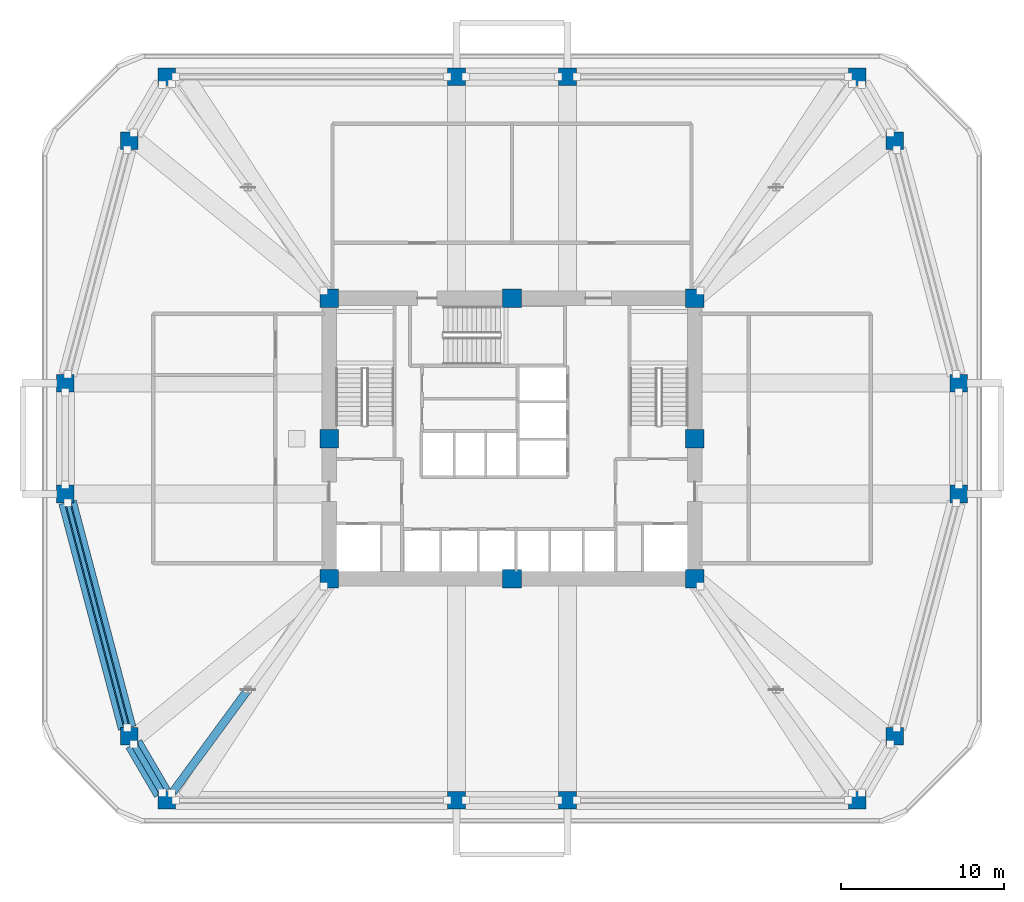
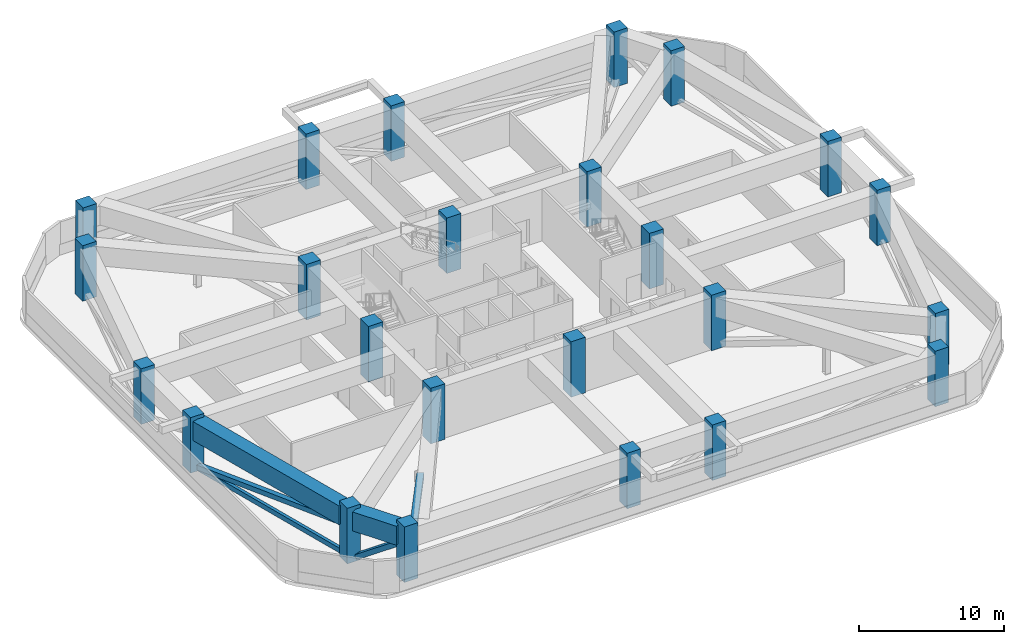
# One storey, part 1 of 10: 24 columns, 4 members, 2 beams.
"""IFC4 building model written with IfcOpenShell, lengths in metres."""

from ifc_helpers import new_model, si_unit, derived_unit, direction, frame, origin, origin_2d, place, context, subcontext, project, spatial, rectangle, hollow_rectangle, extrude, material, material_profile, profile_set, type_object, element, save


model = new_model("IFC4")

# Units and contexts
model_context = context("Model", 3, precision=1e-05, world=origin(), true_north=direction((0.0, 1.0)))
body_context = subcontext(model_context, "Body", "Model", "MODEL_VIEW")
ifc_project = project(units=[si_unit("LENGTHUNIT", "METRE"), si_unit("AREAUNIT", "SQUARE_METRE"), si_unit("VOLUMEUNIT", "CUBIC_METRE"), si_unit("PLANEANGLEUNIT", "RADIAN"), si_unit("MASSUNIT", "GRAM", prefix="KILO"), derived_unit("THERMALTRANSMITTANCEUNIT", [(si_unit("POWERUNIT", "WATT"), 1), (si_unit("LENGTHUNIT", "METRE"), -2), (si_unit("THERMODYNAMICTEMPERATUREUNIT", "KELVIN"), -1)])], contexts=[model_context])

# Site, building, storey
site_placement = place(None, origin())
site = spatial("IfcSite", under=ifc_project, at=site_placement, CompositionType="ELEMENT")
building_placement = place(site_placement, origin())
building = spatial("IfcBuilding", under=site, at=building_placement, Name="Koralith Skygarden Medical Center", CompositionType="ELEMENT")
storey_placement = place(building_placement, frame((0.0, 0.0, 70.739990234375)))
storey = spatial("IfcBuildingStorey", under=building, at=storey_placement, Name="L18", CompositionType="ELEMENT", Elevation=70.739990234375)

# Columns
ifc_material_1 = material(Name="Concrete C70/85", Category="concrete")
ifc_material_profile_1 = material_profile(ifc_material_1, rectangle(XDim=1.139892578125, YDim=1.139892578125, at=origin_2d()), Name="RC1140X1140")
ifc_profile_set_1 = profile_set([ifc_material_profile_1], Name="Concrete C70/85")
column_type_1 = type_object("IfcColumnType", Name="Core Mega-Column C70 RC1140", PredefinedType="COLUMN", material=ifc_profile_set_1)
for number, where, z_axis, x_axis, name in (
    (1, (25.800048828125, 17.300048828125, 0.0), (0.0, 0.0, 1.0), (1.0, 0.0, 0.0), "L18 Core Column CC-01"),
    (2, (37.0, 17.300048828125, 0.0), (0.0, 0.0, 1.0), (1.0, 0.0, 0.0), "L18 Core Column CC-02"),
    (3, (48.199951171875, 17.300048828125, 0.0), (0.0, 0.0, 1.0), (1.0, 0.0, 0.0), "L18 Core Column CC-03"),
    (4, (48.199951171875, 25.89990234375, 0.0), (0.0, 0.0, 1.0), (1.0, 0.0, 0.0), "L18 Core Column CC-04"),
    (5, (48.199951171875, 34.5, 0.0), (0.0, 0.0, 1.0), (1.0, 0.0, 0.0), "L18 Core Column CC-05"),
    (6, (37.0, 34.5, 0.0), (0.0, 0.0, 1.0), (1.0, 0.0, 0.0), "L18 Core Column CC-06"),
    (7, (25.800048828125, 34.5, 0.0), (0.0, 0.0, 1.0), (1.0, 0.0, 0.0), "L18 Core Column CC-07"),
    (8, (25.800048828125, 25.89990234375, 0.0), (0.0, 0.0, 1.0), (1.0, 0.0, 0.0), "L18 Core Column CC-08"),
):
    element("IfcColumn", number, at=place(storey_placement, frame(where, z_axis=z_axis, x_axis=x_axis)), inside=storey, type_object=column_type_1, Name=name, PredefinedType="COLUMN", context=body_context, shape_type="SweptSolid", body=[
        extrude(rectangle(XDim=1.139892578125, YDim=1.139892578125, at=origin_2d()), origin(), (0.0, 0.0, 1.0), 4.679931640625),
    ])
ifc_material_profile_2 = material_profile(ifc_material_1, rectangle(XDim=1.080078125, YDim=1.080078125, at=origin_2d()), Name="RC1080X1080")
ifc_profile_set_2 = profile_set([ifc_material_profile_2], Name="Concrete C70/85")
column_type_2 = type_object("IfcColumnType", Name="Zone 1 Octagonal Mega-Column C70 RC1080", PredefinedType="COLUMN", material=ifc_profile_set_2)
for number, where, z_axis, x_axis, name in (
    (9, (9.6201171875, 22.5, 0.0), (0.0, 0.0, 1.0), (1.0, 0.0, 0.0), "L18 Perimeter Mega-Column MC-01"),
    (10, (13.5400390625, 7.639892578125, 0.0), (0.0, 0.0, 1.0), (1.0, 0.0, 0.0), "L18 Perimeter Mega-Column MC-02"),
    (11, (15.83203125, 3.719970703125, 0.0), (0.0, 0.0, 1.0), (1.0, 0.0, 0.0), "L18 Perimeter Mega-Column MC-03"),
    (12, (33.60009765625, 3.719970703125, 0.0), (0.0, 0.0, 1.0), (1.0, 0.0, 0.0), "L18 Perimeter Mega-Column MC-04"),
    (13, (40.39990234375, 3.719970703125, 0.0), (0.0, 0.0, 1.0), (1.0, 0.0, 0.0), "L18 Perimeter Mega-Column MC-05"),
    (14, (58.16796875, 3.719970703125, 0.0), (0.0, 0.0, 1.0), (1.0, 0.0, 0.0), "L18 Perimeter Mega-Column MC-06"),
    (15, (60.4599609375, 7.639892578125, 0.0), (0.0, 0.0, 1.0), (1.0, 0.0, 0.0), "L18 Perimeter Mega-Column MC-07"),
    (16, (64.3798828125, 22.5, 0.0), (0.0, 0.0, 1.0), (1.0, 0.0, 0.0), "L18 Perimeter Mega-Column MC-08"),
    (17, (64.3798828125, 29.300048828125, 0.0), (0.0, 0.0, 1.0), (1.0, 0.0, 0.0), "L18 Perimeter Mega-Column MC-09"),
    (18, (60.4599609375, 44.159912109375, 0.0), (0.0, 0.0, 1.0), (1.0, 0.0, 0.0), "L18 Perimeter Mega-Column MC-10"),
    (19, (58.16796875, 48.080078125, 0.0), (0.0, 0.0, 1.0), (1.0, 0.0, 0.0), "L18 Perimeter Mega-Column MC-11"),
    (20, (40.39990234375, 48.080078125, 0.0), (0.0, 0.0, 1.0), (1.0, 0.0, 0.0), "L18 Perimeter Mega-Column MC-12"),
    (21, (33.60009765625, 48.080078125, 0.0), (0.0, 0.0, 1.0), (1.0, 0.0, 0.0), "L18 Perimeter Mega-Column MC-13"),
    (22, (15.83203125, 48.080078125, 0.0), (0.0, 0.0, 1.0), (1.0, 0.0, 0.0), "L18 Perimeter Mega-Column MC-14"),
    (23, (13.5400390625, 44.159912109375, 0.0), (0.0, 0.0, 1.0), (1.0, 0.0, 0.0), "L18 Perimeter Mega-Column MC-15"),
    (24, (9.6201171875, 29.300048828125, 0.0), (0.0, 0.0, 1.0), (1.0, 0.0, 0.0), "L18 Perimeter Mega-Column MC-16"),
):
    element("IfcColumn", number, at=place(storey_placement, frame(where, z_axis=z_axis, x_axis=x_axis)), inside=storey, type_object=column_type_2, Name=name, PredefinedType="COLUMN", context=body_context, shape_type="SweptSolid", body=[
        extrude(rectangle(XDim=1.080078125, YDim=1.080078125, at=origin_2d()), origin(), (0.0, 0.0, 1.0), 4.679931640625),
    ])

# Members
ifc_material_2 = material(Name="Steel ASTM A500 Grade C", Category="steel")
ifc_material_profile_3 = material_profile(ifc_material_2, hollow_rectangle(XDim=0.25, YDim=0.39990234375, WallThickness=0.01611328125, at=origin_2d()), Name="HSS400X250X16")
ifc_profile_set_3 = profile_set([ifc_material_profile_3], Name="Steel ASTM A500 Grade C")
member_type_1 = type_object("IfcMemberType", Name="Belt Truss Chord Member HSS400X250X16", PredefinedType="CHORD", material=ifc_profile_set_3)
member_1_placement = place(storey_placement, frame((9.762939453125, 21.958984375, 0.219970703125), z_axis=(0.255033011106, -0.966932346778, 0.0), x_axis=(0.966932346778, 0.255033011106, 0.0)))
element("IfcMember", 25, at=member_1_placement, inside=storey, type_object=member_type_1, Name="L18 Belt Truss Bottom Chord BTC-01", PredefinedType="CHORD", context=body_context, shape_type="SweptSolid", body=[
    extrude(hollow_rectangle(XDim=0.25, YDim=0.39990234375, WallThickness=0.01611328125, at=origin_2d()), origin(), (0.0, 0.0, 1.0), 14.249267578125),
])
ifc_material_profile_4 = material_profile(ifc_material_2, hollow_rectangle(XDim=0.39990234375, YDim=0.39990234375, WallThickness=0.01806640625, at=origin_2d()), Name="HSS400X400X18")
ifc_profile_set_4 = profile_set([ifc_material_profile_4], Name="Steel ASTM A500 Grade C")
member_type_2 = type_object("IfcMemberType", Name="Belt Truss Diagonal HSS400X400X18", PredefinedType="BRACE", material=ifc_profile_set_4)
member_2_placement = place(storey_placement, frame((9.762939453125, 21.958984375, 0.35009765625), z_axis=(0.251548669485, -0.953721811378, 0.164736071894), x_axis=(0.966932346778, 0.255033011106, 0.0)))
element("IfcMember", 26, at=member_2_placement, inside=storey, type_object=member_type_2, Name="L18 Perimeter Belt Truss Diagonal BTD-01", PredefinedType="BRACE", context=body_context, shape_type="SweptSolid", body=[
    extrude(hollow_rectangle(XDim=0.39990234375, YDim=0.39990234375, WallThickness=0.01806640625, at=origin_2d()), origin(), (0.0, 0.0, 1.0), 14.446533203125),
])
member_3_placement = place(storey_placement, frame((13.822998046875, 7.156982421875, 0.35009765625), z_axis=(0.414153109192, -0.708805179805, 0.571027511797), x_axis=(0.863416348097, 0.504492031492, 0.0)))
element("IfcMember", 27, at=member_3_placement, inside=storey, type_object=member_type_2, Name="L18 Perimeter Belt Truss Diagonal BTD-02", PredefinedType="BRACE", context=body_context, shape_type="SweptSolid", body=[
    extrude(hollow_rectangle(XDim=0.39990234375, YDim=0.39990234375, WallThickness=0.01806640625, at=origin_2d()), origin(), (0.0, 0.0, 1.0), 4.167724609375),
])
ifc_material_profile_5 = material_profile(ifc_material_2, hollow_rectangle(XDim=0.5, YDim=0.5, WallThickness=0.02197265625, at=origin_2d()), Name="HSS500X500X22")
ifc_profile_set_5 = profile_set([ifc_material_profile_5], Name="Steel ASTM A500 Grade C")
member_type_3 = type_object("IfcMemberType", Name="Outrigger Primary Diagonal HSS500X500X22", PredefinedType="BRACE", material=ifc_profile_set_5)
member_4_placement = place(storey_placement, frame((20.80810546875, 10.498046875, 2.72998046875), z_axis=(-0.566391778847, -0.771612647802, -0.289506950878), x_axis=(0.806134628546, -0.591732169701, 0.0)))
element("IfcMember", 28, at=member_4_placement, inside=storey, type_object=member_type_3, Name="L18 Outrigger Truss Diagonal ORD-01B", PredefinedType="BRACE", context=body_context, shape_type="SweptSolid", body=[
    extrude(hollow_rectangle(XDim=0.5, YDim=0.5, WallThickness=0.02197265625, at=origin_2d()), origin(), (0.0, 0.0, 1.0), 8.220458984375),
])

# Beams
ifc_material_3 = material(Name="Concrete C55/67", Category="concrete")
ifc_material_profile_6 = material_profile(ifc_material_3, rectangle(XDim=1.10009765625, YDim=1.60009765625, at=origin_2d()), Name="RCB1100X1600")
ifc_profile_set_6 = profile_set([ifc_material_profile_6], Name="Concrete C55/67")
beam_type = type_object("IfcBeamType", Name="Upper Setback Transfer Girder RCB1100X1600", PredefinedType="USERDEFINED", material=ifc_profile_set_6)
beam_1_placement = place(storey_placement, frame((9.7548828125, 21.988037109375, 3.580078125), z_axis=(0.255088684842, -0.966917660851, 0.0), x_axis=(0.966917660851, 0.255088684842, 0.0)))
element("IfcBeam", 29, at=beam_1_placement, inside=storey, type_object=beam_type, Name="L18 Perimeter Spandrel Beam SP-01", ObjectType="TRANSFER GIRDER", PredefinedType="USERDEFINED", context=body_context, shape_type="SweptSolid", body=[
    extrude(rectangle(XDim=1.10009765625, YDim=1.60009765625, at=origin_2d()), origin(), (0.0, 0.0, 1.0), 14.309326171875),
])
beam_2_placement = place(storey_placement, frame((13.80810546875, 7.181884765625, 3.580078125), z_axis=(0.504638660636, -0.863330656349, 0.0), x_axis=(0.863330656349, 0.504638660636, 0.0)))
element("IfcBeam", 30, at=beam_2_placement, inside=storey, type_object=beam_type, Name="L18 Perimeter Spandrel Beam SP-02", ObjectType="TRANSFER GIRDER", PredefinedType="USERDEFINED", context=body_context, shape_type="SweptSolid", body=[
    extrude(rectangle(XDim=1.10009765625, YDim=1.60009765625, at=origin_2d()), origin(), (0.0, 0.0, 1.0), 3.4794921875),
])

save(model, "model.ifc")
